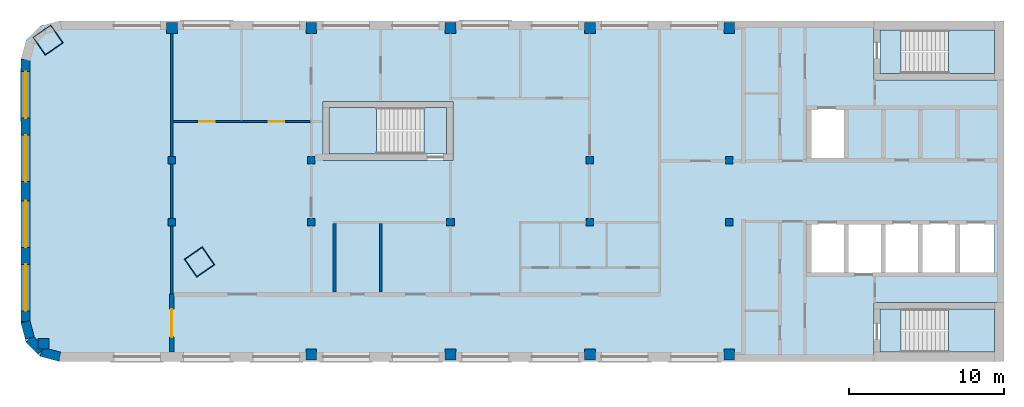
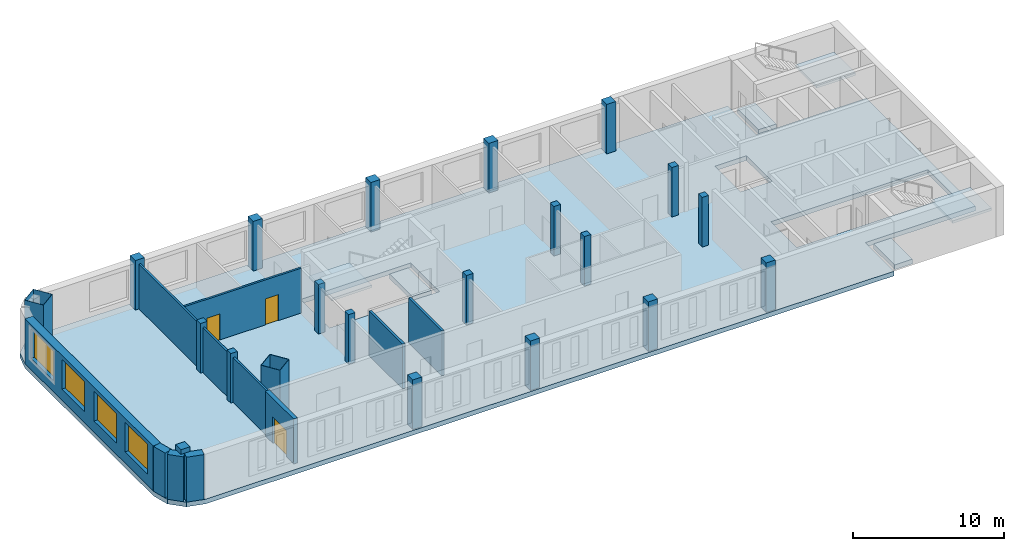
# One storey, part 1 of 6: 21 columns, 9 walls, 7 slabs, 4 windows, 3 doors, 7 openings, 3 elements without a shape of their own.
"""IFC4 building model written with IfcOpenShell, lengths in metres."""

from ifc_helpers import new_model, si_unit, direction, frame, frame_2d, origin, origin_2d, place, context, subcontext, project, spatial, polyline, rectangle, hollow_rectangle, outline, extrude, material, layer, layer_set, material_profile, profile_set, type_object, element, fill, aggregate, save


model = new_model("IFC4")

# Units and contexts
model_context = context("Model", 3, precision=1e-05, world=origin(), true_north=direction((0.0, 1.0)))
body_context = subcontext(model_context, "Body", "Model", "MODEL_VIEW")
ifc_project = project(units=[si_unit("LENGTHUNIT", "METRE"), si_unit("AREAUNIT", "SQUARE_METRE"), si_unit("VOLUMEUNIT", "CUBIC_METRE"), si_unit("PLANEANGLEUNIT", "RADIAN"), si_unit("MASSUNIT", "GRAM", prefix="KILO")], contexts=[model_context])

# Site, building, storey
site_placement = place(None, origin())
site = spatial("IfcSite", under=ifc_project, at=site_placement, CompositionType="ELEMENT")
building_placement = place(site_placement, origin())
building = spatial("IfcBuilding", under=site, at=building_placement, Name="Skarvind Civic Tower", CompositionType="ELEMENT")
storey_placement = place(building_placement, frame((0.0, 0.0, 249.5)))
storey = spatial("IfcBuildingStorey", under=building, at=storey_placement, Name="L59", CompositionType="ELEMENT", Elevation=249.5)

# Columns
ifc_material_1 = material(Name="Concrete C60", Category="concrete")
ifc_material_profile_1 = material_profile(ifc_material_1, rectangle(XDim=0.5, YDim=0.5, at=origin_2d()), Name="RC-500x500")
ifc_profile_set_1 = profile_set([ifc_material_profile_1], Name="Concrete C60")
column_type_1 = type_object("IfcColumnType", Name="Column RC-500x500 C60", PredefinedType="COLUMN", material=ifc_profile_set_1)
for number, where, z_axis, x_axis, name in (
    (1, (54.25, 130.0, 0.0), (0.0, 0.0, 1.0), (1.0, 0.0, 0.0), "Column wing 1 north inner 02 L59"),
    (2, (63.25, 130.0, 0.0), (0.0, 0.0, 1.0), (1.0, 0.0, 0.0), "Column wing 1 north inner 03 L59"),
    (3, (81.25, 130.0, 0.0), (0.0, 0.0, 1.0), (1.0, 0.0, 0.0), "Column wing 1 north inner 05 L59"),
    (4, (90.25, 130.0, 0.0), (0.0, 0.0, 1.0), (1.0, 0.0, 0.0), "Column wing 1 north inner 06 L59"),
    (5, (54.25, 126.0, 0.0), (0.0, 0.0, 1.0), (1.0, 0.0, 0.0), "Column wing 1 south inner 02 L59"),
    (6, (63.25, 126.0, 0.0), (0.0, 0.0, 1.0), (1.0, 0.0, 0.0), "Column wing 1 south inner 03 L59"),
    (7, (72.25, 126.0, 0.0), (0.0, 0.0, 1.0), (1.0, 0.0, 0.0), "Column wing 1 south inner 04 L59"),
    (8, (81.25, 126.0, 0.0), (0.0, 0.0, 1.0), (1.0, 0.0, 0.0), "Column wing 1 south inner 05 L59"),
    (9, (90.25, 126.0, 0.0), (0.0, 0.0, 1.0), (1.0, 0.0, 0.0), "Column wing 1 south inner 06 L59"),
):
    element("IfcColumn", number, at=place(storey_placement, frame(where, z_axis=z_axis, x_axis=x_axis)), inside=storey, type_object=column_type_1, Name=name, PredefinedType="COLUMN", context=body_context, shape_type="SweptSolid", body=[
        extrude(rectangle(XDim=0.5, YDim=0.5, at=origin_2d()), origin(), (0.0, 0.0, 1.0), 4.0),
    ])
ifc_material_profile_2 = material_profile(ifc_material_1, rectangle(XDim=0.699951171875, YDim=0.699951171875, at=origin_2d()), Name="RC-700x700")
ifc_profile_set_2 = profile_set([ifc_material_profile_2], Name="Concrete C60")
column_type_2 = type_object("IfcColumnType", Name="Column RC-700x700 C60", PredefinedType="COLUMN", material=ifc_profile_set_2)
for number, where, z_axis, x_axis, name in (
    (10, (54.25, 138.550048828125, 0.0), (0.0, 0.0, 1.0), (1.0, 0.0, 0.0), "Column wing 1 north perimeter 02 L59"),
    (11, (63.25, 138.550048828125, 0.0), (0.0, 0.0, 1.0), (1.0, 0.0, 0.0), "Column wing 1 north perimeter 03 L59"),
    (12, (72.25, 138.550048828125, 0.0), (0.0, 0.0, 1.0), (1.0, 0.0, 0.0), "Column wing 1 north perimeter 04 L59"),
    (13, (81.25, 138.550048828125, 0.0), (0.0, 0.0, 1.0), (1.0, 0.0, 0.0), "Column wing 1 north perimeter 05 L59"),
    (14, (90.25, 138.550048828125, 0.0), (0.0, 0.0, 1.0), (1.0, 0.0, 0.0), "Column wing 1 north perimeter 06 L59"),
    (15, (45.95166015625, 118.151611328125, 0.0), (0.0, 0.0, 1.0), (1.0, 0.0, 0.0), "Column wing 1 south perimeter 01 L59"),
    (16, (63.25, 117.449951171875, 0.0), (0.0, 0.0, 1.0), (1.0, 0.0, 0.0), "Column wing 1 south perimeter 03 L59"),
    (17, (72.25, 117.449951171875, 0.0), (0.0, 0.0, 1.0), (1.0, 0.0, 0.0), "Column wing 1 south perimeter 04 L59"),
    (18, (81.25, 117.449951171875, 0.0), (0.0, 0.0, 1.0), (1.0, 0.0, 0.0), "Column wing 1 south perimeter 05 L59"),
    (19, (90.25, 117.449951171875, 0.0), (0.0, 0.0, 1.0), (1.0, 0.0, 0.0), "Column wing 1 south perimeter 06 L59"),
):
    element("IfcColumn", number, at=place(storey_placement, frame(where, z_axis=z_axis, x_axis=x_axis)), inside=storey, type_object=column_type_2, Name=name, PredefinedType="COLUMN", context=body_context, shape_type="SweptSolid", body=[
        extrude(rectangle(XDim=0.699951171875, YDim=0.699951171875, at=origin_2d()), origin(), (0.0, 0.0, 1.0), 4.0),
    ])
ifc_material_2 = material(Name="Composite concrete-filled steel tube, Steel SM355 with Concrete C60", Category="concrete")
ifc_material_profile_3 = material_profile(ifc_material_2, hollow_rectangle(XDim=1.39990234375, YDim=1.39990234375, WallThickness=0.02490234375, at=origin_2d()), Name="BOX-1400x1400x25")
ifc_profile_set_3 = profile_set([ifc_material_profile_3], Name="Composite concrete-filled steel tube, Steel SM355 with Concrete C60")
column_type_3 = type_object("IfcColumnType", Name="Mega column BOX-1400x1400x25 filled C60", PredefinedType="COLUMN", material=ifc_profile_set_3)
for number, where, z_axis, x_axis, name in (
    (20, (46.2470703125, 137.762451171875, 0.0), (0.0, 0.0, 1.0), (0.573576436351, -0.819152044289, 0.0), "Mega column 2 L59"),
    (21, (56.0361328125, 123.43017578125, 0.0), (0.0, 0.0, 1.0), (0.573576436351, -0.819152044289, 0.0), "Mega column 4 L59"),
):
    element("IfcColumn", number, at=place(storey_placement, frame(where, z_axis=z_axis, x_axis=x_axis)), inside=storey, type_object=column_type_3, Name=name, PredefinedType="COLUMN", context=body_context, shape_type="SweptSolid", body=[
        extrude(hollow_rectangle(XDim=1.39990234375, YDim=1.39990234375, WallThickness=0.02490234375, at=origin_2d()), origin(), (0.0, 0.0, 1.0), 4.0),
    ])

# Slabs
ifc_material_3 = material(Name="Concrete C50", Category="concrete")
ifc_layer_1 = layer(ifc_material_3, 0.375)
ifc_layer_set_1 = layer_set([ifc_layer_1], Name="Floor slab 375 C50")
slab_type_1 = type_object("IfcSlabType", Name="Floor slab 375 C50", PredefinedType="FLOOR", material=ifc_layer_set_1)
slab_1_placement = place(storey_placement, frame((0.0, 0.0, -0.375)))
element("IfcSlab", 22, at=slab_1_placement, inside=storey, type_object=slab_type_1, Name="Floor slab L59 1", PredefinedType="FLOOR", context=body_context, shape_type="SweptSolid", body=[
    extrude(outline(polyline([(99.60009765625, 117.0), (99.60009765625, 120.800048828125), (108.0, 120.800048828125), (108.0, 135.199951171875), (99.60009765625, 135.199951171875), (99.60009765625, 139.0), (47.0, 139.0), (45.75, 138.6650390625), (44.8349609375, 137.75), (44.5, 136.5), (44.5, 119.5), (44.8349609375, 118.25), (45.75, 117.3349609375), (47.0, 117.0), (99.60009765625, 117.0)]), holes=[polyline([(95.39990234375, 126.0), (97.800048828125, 126.0), (100.199951171875, 126.0), (102.60009765625, 126.0), (105.0, 126.0), (107.39990234375, 126.0), (107.39990234375, 122.60009765625), (105.0, 122.60009765625), (102.60009765625, 122.60009765625), (100.199951171875, 122.60009765625), (97.800048828125, 122.60009765625), (95.39990234375, 122.60009765625), (95.39990234375, 126.0)]), polyline([(95.39990234375, 133.39990234375), (97.800048828125, 133.39990234375), (97.800048828125, 130.0), (95.39990234375, 130.0), (95.39990234375, 133.39990234375)]), polyline([(64.0, 130.0), (64.0, 133.800048828125), (72.39990234375, 133.800048828125), (72.39990234375, 130.0), (64.0, 130.0)])]), origin(), (0.0, 0.0, 1.0), 0.375),
])
ifc_material_4 = material(Name="Concrete C40/50", Category="concrete")
ifc_layer_2 = layer(ifc_material_4, 0.375)
ifc_layer_set_2 = layer_set([ifc_layer_2], Name="Stair floor landing slab 375")
slab_type_2 = type_object("IfcSlabType", Name="Stair floor landing slab 375", PredefinedType="LANDING", material=ifc_layer_set_2)
slab_2_placement = place(storey_placement, frame((0.0, 0.0, -0.375)))
element("IfcSlab", 23, at=slab_2_placement, inside=storey, type_object=slab_type_2, Name="Stair floor landing", PredefinedType="LANDING", context=body_context, shape_type="SweptSolid", body=[
    extrude(outline(polyline([(101.3505859375, 138.400634765625), (101.3505859375, 135.599365234375), (99.99951171875, 135.599365234375), (99.99951171875, 138.400634765625), (101.3505859375, 138.400634765625)])), origin(), (0.0, 0.0, 1.0), 0.375),
])
slab_3_placement = place(storey_placement, frame((0.0, 0.0, -0.375)))
element("IfcSlab", 24, at=slab_3_placement, inside=storey, type_object=slab_type_2, Name="Stair floor landing", PredefinedType="LANDING", context=body_context, shape_type="SweptSolid", body=[
    extrude(outline(polyline([(101.3505859375, 120.400634765625), (101.3505859375, 117.599365234375), (99.99951171875, 117.599365234375), (99.99951171875, 120.400634765625), (101.3505859375, 120.400634765625)])), origin(), (0.0, 0.0, 1.0), 0.375),
])
slab_4_placement = place(storey_placement, frame((0.0, 0.0, -0.375)))
element("IfcSlab", 25, at=slab_4_placement, inside=storey, type_object=slab_type_2, Name="Stair floor landing", PredefinedType="LANDING", context=body_context, shape_type="SweptSolid", body=[
    extrude(outline(polyline([(70.54931640625, 130.3994140625), (70.54931640625, 133.400634765625), (72.00048828125, 133.400634765625), (72.00048828125, 130.3994140625), (70.54931640625, 130.3994140625)])), origin(), (0.0, 0.0, 1.0), 0.375),
])

# Stair, slab
stair_type_1 = type_object("IfcStairType", Name="Exit stair, half-turn, concrete", PredefinedType="HALF_TURN_STAIR", material=ifc_material_4)
stair_1_placement = place(storey_placement, origin())
stair_1 = element("IfcStair", 26, at=stair_1_placement, inside=storey, type_object=stair_type_1, Name="Exit stair C1S", PredefinedType="HALF_TURN_STAIR")
ifc_layer_3 = layer(ifc_material_4, 0.199951171875)
ifc_layer_set_3 = layer_set([ifc_layer_3], Name="Stair half landing slab")
slab_type_3 = type_object("IfcSlabType", Name="Stair half landing slab", PredefinedType="LANDING", material=ifc_layer_set_3)
slab_5_placement = place(storey_placement, frame((0.0, 0.0, 1.800048828125)))
slab_5 = element("IfcSlab", 27, at=slab_5_placement, type_object=slab_type_3, Name="ST-C1S landing 1", PredefinedType="LANDING", context=body_context, shape_type="SweptSolid", body=[
    extrude(outline(polyline([(104.429443359375, 135.599365234375), (104.429443359375, 138.400634765625), (107.400634765625, 138.400634765625), (107.400634765625, 135.599365234375), (104.429443359375, 135.599365234375)])), origin(), (0.0, 0.0, 1.0), 0.199951171875),
])
aggregate(stair_1, [slab_5])

stair_2_placement = place(storey_placement, origin())
stair_2 = element("IfcStair", 28, at=stair_2_placement, inside=storey, type_object=stair_type_1, Name="Exit stair C1N", PredefinedType="HALF_TURN_STAIR")
slab_6_placement = place(storey_placement, frame((0.0, 0.0, 1.800048828125)))
slab_6 = element("IfcSlab", 29, at=slab_6_placement, type_object=slab_type_3, Name="ST-C1N landing 1", PredefinedType="LANDING", context=body_context, shape_type="SweptSolid", body=[
    extrude(outline(polyline([(104.429443359375, 117.599365234375), (104.429443359375, 120.400634765625), (107.400634765625, 120.400634765625), (107.400634765625, 117.599365234375), (104.429443359375, 117.599365234375)])), origin(), (0.0, 0.0, 1.0), 0.199951171875),
])
aggregate(stair_2, [slab_6])

stair_type_2 = type_object("IfcStairType", Name="Exit stair 1450, half-turn, concrete", PredefinedType="HALF_TURN_STAIR", material=ifc_material_4)
stair_3_placement = place(storey_placement, origin())
stair_3 = element("IfcStair", 30, at=stair_3_placement, inside=storey, type_object=stair_type_2, Name="Exit stair CM", PredefinedType="HALF_TURN_STAIR")
slab_7_placement = place(storey_placement, frame((0.0, 0.0, 1.800048828125)))
slab_7 = element("IfcSlab", 31, at=slab_7_placement, type_object=slab_type_3, Name="ST-CM landing 1", PredefinedType="LANDING", context=body_context, shape_type="SweptSolid", body=[
    extrude(outline(polyline([(67.470703125, 133.400634765625), (67.470703125, 130.3994140625), (64.3994140625, 130.3994140625), (64.3994140625, 133.400634765625), (67.470703125, 133.400634765625)])), origin(), (0.0, 0.0, 1.0), 0.199951171875),
])
aggregate(stair_3, [slab_7])

# Walls
ifc_material_5 = material(Name="Acoustic gypsum board on steel studs", Category="steel")
ifc_layer_4 = layer(ifc_material_5, 0.175048828125)
ifc_layer_set_4 = layer_set([ifc_layer_4], Name="ACOUSTIC MEETING-ROOM PARTITION 175")
wall_type_1 = type_object("IfcWallType", Name="ACOUSTIC MEETING-ROOM PARTITION 175", PredefinedType="PARTITIONING", material=ifc_layer_set_4)
for number, where, z_axis, x_axis, name in (
    (32, (64.75, 125.912109375, 0.0), (0.0, 0.0, 1.0), (0.0, -1.0, 0.0), "Partition 59.009"),
    (33, (67.75, 121.5, 0.0), (0.0, 0.0, 1.0), (0.0, 1.0, 0.0), "Partition 59.011"),
):
    element("IfcWall", number, at=place(storey_placement, frame(where, z_axis=z_axis, x_axis=x_axis)), inside=storey, type_object=wall_type_1, Name=name, PredefinedType="PARTITIONING", context=body_context, shape_type="SweptSolid", body=[
        extrude(rectangle(XDim=4.412109375, YDim=0.175048828125, at=frame_2d((2.2060546875, 0.0))), origin(), (0.0, 0.0, 1.0), 3.625),
    ])

# Wall, opening, door
ifc_material_6 = material(Name="Fire-rated gypsum board on steel studs", Category="steel")
ifc_layer_5 = layer(ifc_material_6, 0.300048828125)
ifc_layer_set_5 = layer_set([ifc_layer_5], Name="CORRIDOR WALL 300")
wall_type_2 = type_object("IfcWallType", Name="CORRIDOR WALL 300", PredefinedType="PARTITIONING", material=ifc_layer_set_5)
wall_1_placement = place(storey_placement, frame((54.25, 117.60009765625, 0.0), z_axis=(0.0, 0.0, 1.0), x_axis=(0.0, 1.0, 0.0)))
wall_1 = element("IfcWall", 34, at=wall_1_placement, inside=storey, type_object=wall_type_2, Name="Partition 59.001", PredefinedType="PARTITIONING", context=body_context, shape_type="SweptSolid", body=[
    extrude(rectangle(XDim=3.75, YDim=0.300048828125, at=frame_2d((1.875, 0.0))), origin(), (0.0, 0.0, 1.0), 3.625),
])
opening_1_placement = place(wall_1_placement, frame((0.9765625, 0.0, 0.0)))
opening_1 = element("IfcOpeningElement", 35, at=opening_1_placement, cuts=wall_1, Name="Opening L59-D016", PredefinedType="OPENING", context=body_context, shape_type="SweptSolid", body=[
    extrude(rectangle(XDim=1.800048828125, YDim=2.10009765625, at=frame_2d((0.89990234375, 1.050048828125))), frame((0.0, 0.159912109375, 0.0), z_axis=(0.0, -1.0, 0.0), x_axis=(1.0, 0.0, 0.0)), (0.0, 0.0, 1.0), 0.320068359375),
])
ifc_material_7 = material(Name="Fire-rated timber door leaf", Category="wood")
door_type_1 = type_object("IfcDoorType", Name="FD4 1800x2100", OperationType="NOTDEFINED", PredefinedType="DOOR", material=ifc_material_7)
door_1_placement = place(opening_1_placement, origin())
door_1 = element("IfcDoor", 36, at=door_1_placement, inside=storey, type_object=door_type_1, Name="Door L59-D016", OperationType="DOUBLE_DOOR_SINGLE_SWING", OverallHeight=2.10009765625, OverallWidth=1.800048828125, PredefinedType="DOOR", context=body_context, shape_type="SweptSolid", body=[
    extrude(rectangle(XDim=1.800048828125, YDim=2.10009765625, at=frame_2d((0.89990234375, 1.050048828125))), frame((0.0, 0.02490234375, 0.0), z_axis=(0.0, -1.0, 0.0), x_axis=(1.0, 0.0, 0.0)), (0.0, 0.0, 1.0), 0.050048828125),
])
fill(opening_1, door_1)

# Wall
ifc_material_8 = material(Name="Plasterboard partition on steel studs", Category="steel")
ifc_layer_6 = layer(ifc_material_8, 0.14990234375)
ifc_layer_set_6 = layer_set([ifc_layer_6], Name="PARTITION 150")
wall_type_3 = type_object("IfcWallType", Name="PARTITION 150", PredefinedType="PARTITIONING", material=ifc_layer_set_6)
wall_2_placement = place(storey_placement, frame((54.25, 121.35009765625, 0.0), z_axis=(0.0, 0.0, 1.0), x_axis=(0.0, 1.0, 0.0)))
element("IfcWall", 37, at=wall_2_placement, inside=storey, type_object=wall_type_3, Name="Partition 59.002", PredefinedType="PARTITIONING", context=body_context, shape_type="SweptSolid", body=[
    extrude(rectangle(XDim=17.0498046875, YDim=0.14990234375, at=frame_2d((8.52490234375, 0.0))), origin(), (0.0, 0.0, 1.0), 3.625),
])

# Wall, openings, doors
wall_3_placement = place(storey_placement, frame((63.25, 132.5, 0.0), z_axis=(0.0, 0.0, 1.0), x_axis=(-1.0, 0.0, 0.0)))
wall_3 = element("IfcWall", 38, at=wall_3_placement, inside=storey, type_object=wall_type_3, Name="Partition 59.004", PredefinedType="PARTITIONING", context=body_context, shape_type="SweptSolid", body=[
    extrude(rectangle(XDim=8.925048828125, YDim=0.14990234375, at=frame_2d((4.46240234375, 0.0))), origin(), (0.0, 0.0, 1.0), 3.625),
])
opening_2_placement = place(wall_3_placement, frame((1.75, 0.0, 0.0)))
opening_2 = element("IfcOpeningElement", 39, at=opening_2_placement, cuts=wall_3, Name="Opening L59-D013", PredefinedType="OPENING", context=body_context, shape_type="SweptSolid", body=[
    extrude(rectangle(XDim=1.0, YDim=2.10009765625, at=frame_2d((0.5, 1.050048828125))), frame((0.0, 0.0849609375, 0.0), z_axis=(0.0, -1.0, 0.0), x_axis=(1.0, 0.0, 0.0)), (0.0, 0.0, 1.0), 0.169921875),
])
opening_3_placement = place(wall_3_placement, frame((6.222412109375, 0.0, 0.0)))
opening_3 = element("IfcOpeningElement", 40, at=opening_3_placement, cuts=wall_3, Name="Opening L59-D014", PredefinedType="OPENING", context=body_context, shape_type="SweptSolid", body=[
    extrude(rectangle(XDim=1.0, YDim=2.10009765625, at=frame_2d((0.5, 1.050048828125))), frame((0.0, 0.0849609375, 0.0), z_axis=(0.0, -1.0, 0.0), x_axis=(1.0, 0.0, 0.0)), (0.0, 0.0, 1.0), 0.169921875),
])
ifc_material_9 = material(Name="Timber door leaf", Category="wood")
door_type_2 = type_object("IfcDoorType", Name="D1 1000x2100", OperationType="NOTDEFINED", PredefinedType="DOOR", material=ifc_material_9)
door_2_placement = place(opening_2_placement, origin())
door_2 = element("IfcDoor", 41, at=door_2_placement, inside=storey, type_object=door_type_2, Name="Door L59-D013", OperationType="SINGLE_SWING_LEFT", OverallHeight=2.10009765625, OverallWidth=1.0, PredefinedType="DOOR", context=body_context, shape_type="SweptSolid", body=[
    extrude(rectangle(XDim=1.0, YDim=2.10009765625, at=frame_2d((0.5, 1.050048828125))), frame((0.0, 0.02490234375, 0.0), z_axis=(0.0, -1.0, 0.0), x_axis=(1.0, 0.0, 0.0)), (0.0, 0.0, 1.0), 0.050048828125),
])
fill(opening_2, door_2)
door_3_placement = place(opening_3_placement, origin())
door_3 = element("IfcDoor", 42, at=door_3_placement, inside=storey, type_object=door_type_2, Name="Door L59-D014", OperationType="SINGLE_SWING_RIGHT", OverallHeight=2.10009765625, OverallWidth=1.0, PredefinedType="DOOR", context=body_context, shape_type="SweptSolid", body=[
    extrude(rectangle(XDim=1.0, YDim=2.10009765625, at=frame_2d((0.5, 1.050048828125))), frame((0.0, 0.02490234375, 0.0), z_axis=(0.0, -1.0, 0.0), x_axis=(1.0, 0.0, 0.0)), (0.0, 0.0, 1.0), 0.050048828125),
])
fill(opening_3, door_3)

# Wall, openings, windows
ifc_material_10 = material(Name="Standing-seam zinc cladding on insulated backing")
ifc_layer_7 = layer(ifc_material_10, 0.60009765625)
ifc_layer_set_7 = layer_set([ifc_layer_7], Name="WX2 ZINC-CLAD FACADE WALL 600")
wall_type_4 = type_object("IfcWallType", Name="WX2 ZINC-CLAD FACADE WALL 600", PredefinedType="SOLIDWALL", material=ifc_layer_set_7)
wall_4_placement = place(storey_placement, frame((44.800048828125, 119.570068359375, 0.0), z_axis=(0.0, 0.0, 1.0), x_axis=(0.0, 1.0, 0.0)))
wall_4 = element("IfcWall", 43, at=wall_4_placement, inside=storey, type_object=wall_type_4, Name="ZINC-CLAD FACADE WALL", PredefinedType="SOLIDWALL", context=body_context, shape_type="SweptSolid", body=[
    extrude(rectangle(XDim=16.929931640625, YDim=0.60009765625, at=frame_2d((8.46484375, 0.0))), origin(), (0.0, 0.0, 1.0), 3.625),
])
opening_4_placement = place(wall_4_placement, frame((0.705078125, 0.0, 0.89990234375)))
opening_4 = element("IfcOpeningElement", 44, at=opening_4_placement, cuts=wall_4, Name="Opening WN4", PredefinedType="OPENING", context=body_context, shape_type="SweptSolid", body=[
    extrude(rectangle(XDim=3.0, YDim=2.39990234375, at=frame_2d((1.5, 1.199951171875))), frame((0.0, 0.31005859375, 0.0), z_axis=(0.0, -1.0, 0.0), x_axis=(1.0, 0.0, 0.0)), (0.0, 0.0, 1.0), 0.6201171875),
])
opening_5_placement = place(wall_4_placement, frame((4.804931640625, 0.0, 0.89990234375)))
opening_5 = element("IfcOpeningElement", 45, at=opening_5_placement, cuts=wall_4, Name="Opening WN4", PredefinedType="OPENING", context=body_context, shape_type="SweptSolid", body=[
    extrude(rectangle(XDim=3.0, YDim=2.39990234375, at=frame_2d((1.5, 1.199951171875))), frame((0.0, 0.31005859375, 0.0), z_axis=(0.0, -1.0, 0.0), x_axis=(1.0, 0.0, 0.0)), (0.0, 0.0, 1.0), 0.6201171875),
])
opening_6_placement = place(wall_4_placement, frame((9.054931640625, 0.0, 0.89990234375)))
opening_6 = element("IfcOpeningElement", 46, at=opening_6_placement, cuts=wall_4, Name="Opening WN4", PredefinedType="OPENING", context=body_context, shape_type="SweptSolid", body=[
    extrude(rectangle(XDim=3.0, YDim=2.39990234375, at=frame_2d((1.5, 1.199951171875))), frame((0.0, 0.31005859375, 0.0), z_axis=(0.0, -1.0, 0.0), x_axis=(1.0, 0.0, 0.0)), (0.0, 0.0, 1.0), 0.6201171875),
])
opening_7_placement = place(wall_4_placement, frame((13.155029296875, 0.0, 0.89990234375)))
opening_7 = element("IfcOpeningElement", 47, at=opening_7_placement, cuts=wall_4, Name="Opening WN4", PredefinedType="OPENING", context=body_context, shape_type="SweptSolid", body=[
    extrude(rectangle(XDim=3.0, YDim=2.39990234375, at=frame_2d((1.5, 1.199951171875))), frame((0.0, 0.31005859375, 0.0), z_axis=(0.0, -1.0, 0.0), x_axis=(1.0, 0.0, 0.0)), (0.0, 0.0, 1.0), 0.6201171875),
])
ifc_material_11 = material(Name="Timber frame, double glazing, copper-lined reveal", Category="wood")
window_type = type_object("IfcWindowType", Name="WN4 COPPER-LINED WINDOW 3000 x 2400", PartitioningType="SINGLE_PANEL", PredefinedType="WINDOW", material=ifc_material_11)
window_1_placement = place(opening_4_placement, origin())
window_1 = element("IfcWindow", 48, at=window_1_placement, inside=storey, type_object=window_type, Name="WN4 WINDOW", OverallHeight=2.39990234375, OverallWidth=3.0, PartitioningType="SINGLE_PANEL", PredefinedType="WINDOW", context=body_context, shape_type="SweptSolid", body=[
    extrude(rectangle(XDim=3.0, YDim=2.39990234375, at=frame_2d((1.5, 1.199951171875))), frame((0.0, 0.030029296875, 0.0), z_axis=(0.0, -1.0, 0.0), x_axis=(1.0, 0.0, 0.0)), (0.0, 0.0, 1.0), 0.06005859375),
])
fill(opening_4, window_1)
window_2_placement = place(opening_5_placement, origin())
window_2 = element("IfcWindow", 49, at=window_2_placement, inside=storey, type_object=window_type, Name="WN4 WINDOW", OverallHeight=2.39990234375, OverallWidth=3.0, PartitioningType="SINGLE_PANEL", PredefinedType="WINDOW", context=body_context, shape_type="SweptSolid", body=[
    extrude(rectangle(XDim=3.0, YDim=2.39990234375, at=frame_2d((1.5, 1.199951171875))), frame((0.0, 0.030029296875, 0.0), z_axis=(0.0, -1.0, 0.0), x_axis=(1.0, 0.0, 0.0)), (0.0, 0.0, 1.0), 0.06005859375),
])
fill(opening_5, window_2)
window_3_placement = place(opening_6_placement, origin())
window_3 = element("IfcWindow", 50, at=window_3_placement, inside=storey, type_object=window_type, Name="WN4 WINDOW", OverallHeight=2.39990234375, OverallWidth=3.0, PartitioningType="SINGLE_PANEL", PredefinedType="WINDOW", context=body_context, shape_type="SweptSolid", body=[
    extrude(rectangle(XDim=3.0, YDim=2.39990234375, at=frame_2d((1.5, 1.199951171875))), frame((0.0, 0.030029296875, 0.0), z_axis=(0.0, -1.0, 0.0), x_axis=(1.0, 0.0, 0.0)), (0.0, 0.0, 1.0), 0.06005859375),
])
fill(opening_6, window_3)
window_4_placement = place(opening_7_placement, origin())
window_4 = element("IfcWindow", 51, at=window_4_placement, inside=storey, type_object=window_type, Name="WN4 WINDOW", OverallHeight=2.39990234375, OverallWidth=3.0, PartitioningType="SINGLE_PANEL", PredefinedType="WINDOW", context=body_context, shape_type="SweptSolid", body=[
    extrude(rectangle(XDim=3.0, YDim=2.39990234375, at=frame_2d((1.5, 1.199951171875))), frame((0.0, 0.030029296875, 0.0), z_axis=(0.0, -1.0, 0.0), x_axis=(1.0, 0.0, 0.0)), (0.0, 0.0, 1.0), 0.06005859375),
])
fill(opening_7, window_4)

# Walls
wall_5_placement = place(storey_placement, frame((45.0703125, 118.530517578125, 0.0), z_axis=(0.0, 0.0, 1.0), x_axis=(-0.25876985698, 0.965939004864, 0.0)))
element("IfcWall", 52, at=wall_5_placement, inside=storey, type_object=wall_type_4, Name="ZINC-CLAD FACADE WALL", PredefinedType="SOLIDWALL", context=body_context, shape_type="SweptSolid", body=[
    extrude(rectangle(XDim=1.083984375, YDim=0.60009765625, at=frame_2d((0.5419921875, 0.0))), origin(), (0.0, 0.0, 1.0), 3.625),
])
wall_6_placement = place(storey_placement, frame((45.813720703125, 117.695556640625, 0.0), z_axis=(0.0, 0.0, 1.0), x_axis=(-0.707106781187, 0.707106781187, 0.0)))
element("IfcWall", 53, at=wall_6_placement, inside=storey, type_object=wall_type_4, Name="ZINC-CLAD FACADE WALL", PredefinedType="SOLIDWALL", context=body_context, shape_type="SweptSolid", body=[
    extrude(rectangle(XDim=1.084228515625, YDim=0.60009765625, at=frame_2d((0.5419921875, 0.0))), origin(), (0.0, 0.0, 1.0), 3.625),
])
wall_7_placement = place(storey_placement, frame((47.010009765625, 117.307861328125, 0.0), z_axis=(0.0, 0.0, 1.0), x_axis=(-0.965909766102, 0.258878975098, 0.0)))
element("IfcWall", 54, at=wall_7_placement, inside=storey, type_object=wall_type_4, Name="ZINC-CLAD FACADE WALL", PredefinedType="SOLIDWALL", context=body_context, shape_type="SweptSolid", body=[
    extrude(rectangle(XDim=1.22412109375, YDim=0.60009765625, at=frame_2d((0.612060546875, 0.0))), origin(), (0.0, 0.0, 1.0), 3.625),
])

save(model, "model.ifc")
